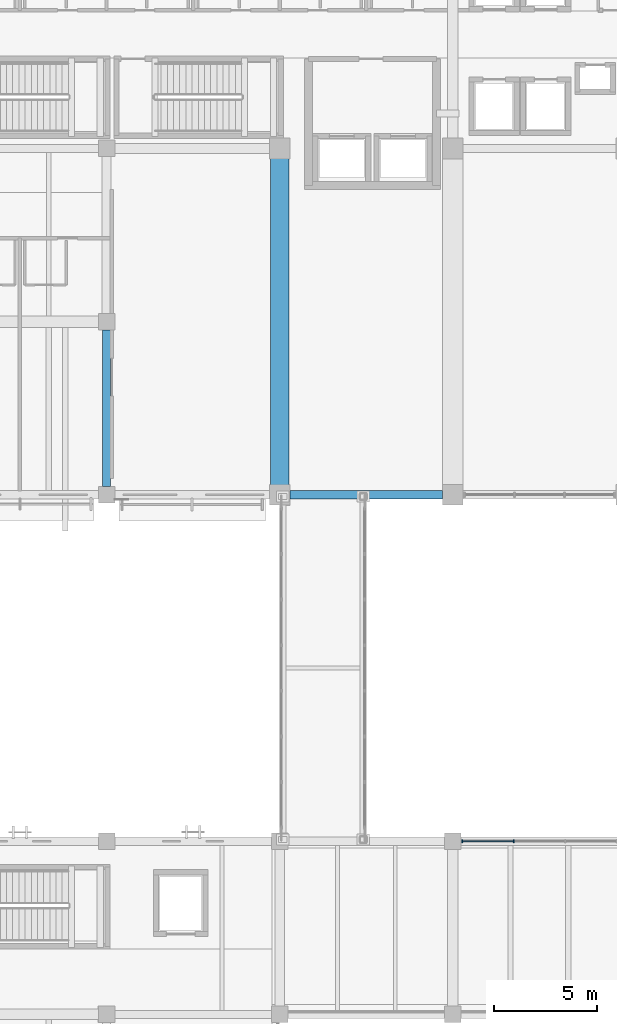
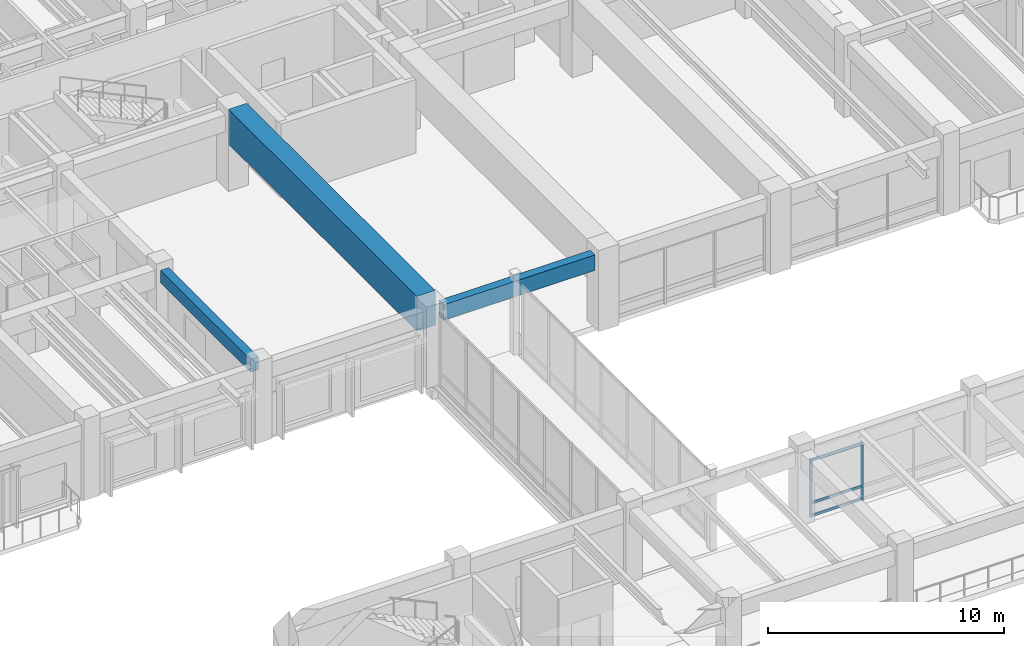
# One storey, part 40 of 132: 5 members, 3 beams, 1 element without a shape of its own.
"""IFC4 building model written with IfcOpenShell, lengths in metres."""

from ifc_helpers import new_model, si_unit, direction, frame, origin, origin_2d, place, context, subcontext, project, spatial, rectangle, extrude, material, material_profile, profile_set, type_object, element, aggregate, save


model = new_model("IFC4")

# Units and contexts
model_context = context("Model", 3, precision=1e-05, world=origin(), true_north=direction((0.0, 1.0)))
body_context = subcontext(model_context, "Body", "Model", "MODEL_VIEW")
ifc_project = project(units=[si_unit("LENGTHUNIT", "METRE"), si_unit("AREAUNIT", "SQUARE_METRE"), si_unit("VOLUMEUNIT", "CUBIC_METRE"), si_unit("PLANEANGLEUNIT", "RADIAN"), si_unit("MASSUNIT", "GRAM", prefix="KILO")], contexts=[model_context])

# Site, building, storey
site_placement = place(None, origin())
site = spatial("IfcSite", under=ifc_project, at=site_placement, CompositionType="ELEMENT")
building_placement = place(site_placement, origin())
building = spatial("IfcBuilding", under=site, at=building_placement, Name="Cumbredor Promenade Congress Hotel", CompositionType="ELEMENT")
storey_placement = place(building_placement, frame((0.0, 0.0, 7.56005859375)))
storey = spatial("IfcBuildingStorey", under=building, at=storey_placement, Name="L02", CompositionType="ELEMENT", Elevation=7.56005859375)

# Beam
ifc_material_1 = material(Name="Concrete C40/50", Category="concrete")
ifc_material_profile_1 = material_profile(ifc_material_1, rectangle(XDim=0.39990234375, YDim=0.64990234375, at=origin_2d()), Name="RC BEAM 400x650")
ifc_profile_set_1 = profile_set([ifc_material_profile_1], Name="Concrete C40/50")
beam_type_1 = type_object("IfcBeamType", Name="BM-RC-400x650", PredefinedType="BEAM", material=ifc_profile_set_1)
beam_1_placement = place(storey_placement, frame((16.800048828125, 84.39990234375, 3.474853515625), z_axis=(0.0, 1.0, 0.0), x_axis=(-1.0, 0.0, 0.0)))
element("IfcBeam", 1, at=beam_1_placement, inside=storey, type_object=beam_type_1, Name="L03 Y-Grid Beam 044", PredefinedType="BEAM", context=body_context, shape_type="SweptSolid", body=[
    extrude(rectangle(XDim=0.39990234375, YDim=0.64990234375, at=origin_2d()), origin(), (0.0, 0.0, 1.0), 7.60009765625),
])

# Curtain wall, members
ifc_material_2 = material(Name="Thermally broken anodized aluminium and low-E glass", Category="aluminium")
curtain_wall_type = type_object("IfcCurtainWallType", Name="Unitised Bronze Curtain Wall CW-01", PredefinedType="NOTDEFINED", material=ifc_material_2)
curtain_wall_placement = place(storey_placement, origin())
curtain_wall = element("IfcCurtainWall", 2, at=curtain_wall_placement, inside=storey, type_object=curtain_wall_type, Name="L02 Plenary Congress Hall North Curtain Wall 4", PredefinedType="NOTDEFINED")
ifc_material_3 = material(Name="Thermally broken anodized aluminium", Category="aluminium")
ifc_material_profile_2 = material_profile(ifc_material_3, rectangle(XDim=0.06494140625, YDim=0.159912109375, at=origin_2d()), Name="ALU MULLION 65x160")
ifc_profile_set_2 = profile_set([ifc_material_profile_2], Name="Thermally broken anodized aluminium")
member_type_1 = type_object("IfcMemberType", Name="Curtain Wall Mullion ML-01", PredefinedType="MULLION", material=ifc_profile_set_2)
member_1_placement = place(storey_placement, frame((34.054931640625, 67.199951171875, -0.008056640625), z_axis=(0.0, 0.0, 1.0), x_axis=(1.0, 0.0, 0.0)))
member_1 = element("IfcMember", 3, at=member_1_placement, type_object=member_type_1, Name="L02 Plenary Congress Hall North Curtain Wall 4 Mullion 1", PredefinedType="MULLION", context=body_context, shape_type="SweptSolid", body=[
    extrude(rectangle(XDim=0.06494140625, YDim=0.159912109375, at=origin_2d()), origin(), (0.0, 0.0, 1.0), 3.0009765625),
])
member_2_placement = place(storey_placement, frame((36.5517578125, 67.199951171875, -0.008056640625), z_axis=(0.0, 0.0, 1.0), x_axis=(1.0, 0.0, 0.0)))
member_2 = element("IfcMember", 4, at=member_2_placement, type_object=member_type_1, Name="L02 Plenary Congress Hall North Curtain Wall 4 Mullion 2", PredefinedType="MULLION", context=body_context, shape_type="SweptSolid", body=[
    extrude(rectangle(XDim=0.06494140625, YDim=0.159912109375, at=origin_2d()), origin(), (0.0, 0.0, 1.0), 3.0009765625),
])
ifc_material_profile_3 = material_profile(ifc_material_3, rectangle(XDim=0.06494140625, YDim=0.1298828125, at=origin_2d()), Name="ALU TRANSOM 65x130")
ifc_profile_set_3 = profile_set([ifc_material_profile_3], Name="Thermally broken anodized aluminium")
member_type_2 = type_object("IfcMemberType", Name="Curtain Wall Transom TR-01", PredefinedType="USERDEFINED", material=ifc_profile_set_3)
member_3_placement = place(storey_placement, frame((34.08740234375, 67.199951171875, 0.06005859375), z_axis=(1.0, 0.0, 0.0), x_axis=(0.0, 1.0, 0.0)))
member_3 = element("IfcMember", 5, at=member_3_placement, type_object=member_type_2, Name="L02 Plenary Congress Hall North Curtain Wall 4 Transom 1.1", ObjectType="TRANSOM", PredefinedType="USERDEFINED", context=body_context, shape_type="SweptSolid", body=[
    extrude(rectangle(XDim=0.06494140625, YDim=0.1298828125, at=origin_2d()), origin(), (0.0, 0.0, 1.0), 2.431884765625),
])
member_4_placement = place(storey_placement, frame((34.08740234375, 67.199951171875, 0.719970703125), z_axis=(1.0, 0.0, 0.0), x_axis=(0.0, 1.0, 0.0)))
member_4 = element("IfcMember", 6, at=member_4_placement, type_object=member_type_2, Name="L02 Plenary Congress Hall North Curtain Wall 4 Transom 1.2", ObjectType="TRANSOM", PredefinedType="USERDEFINED", context=body_context, shape_type="SweptSolid", body=[
    extrude(rectangle(XDim=0.06494140625, YDim=0.1298828125, at=origin_2d()), origin(), (0.0, 0.0, 1.0), 2.431884765625),
])
member_5_placement = place(storey_placement, frame((34.08740234375, 67.199951171875, 2.919921875), z_axis=(1.0, 0.0, 0.0), x_axis=(0.0, 1.0, 0.0)))
member_5 = element("IfcMember", 7, at=member_5_placement, type_object=member_type_2, Name="L02 Plenary Congress Hall North Curtain Wall 4 Transom 1.3", ObjectType="TRANSOM", PredefinedType="USERDEFINED", context=body_context, shape_type="SweptSolid", body=[
    extrude(rectangle(XDim=0.06494140625, YDim=0.1298828125, at=origin_2d()), origin(), (0.0, 0.0, 1.0), 2.431884765625),
])
aggregate(curtain_wall, [member_1, member_2, member_3, member_4, member_5])

# Beams
ifc_material_profile_4 = material_profile(ifc_material_1, rectangle(XDim=0.39990234375, YDim=0.800048828125, at=origin_2d()), Name="RC SPANDREL 400x800")
ifc_profile_set_4 = profile_set([ifc_material_profile_4], Name="Concrete C40/50")
beam_type_2 = type_object("IfcBeamType", Name="SP-RC-400x800", PredefinedType="SPANDREL", material=ifc_profile_set_4)
beam_2_placement = place(storey_placement, frame((25.699951171875, 84.0, 3.39990234375), z_axis=(1.0, 0.0, 0.0), x_axis=(0.0, 1.0, 0.0)))
element("IfcBeam", 8, at=beam_2_placement, inside=storey, type_object=beam_type_2, Name="L03 X-Grid Beam 055", PredefinedType="SPANDREL", context=body_context, shape_type="SweptSolid", body=[
    extrude(rectangle(XDim=0.39990234375, YDim=0.800048828125, at=origin_2d()), origin(), (0.0, 0.0, 1.0), 7.400146484375),
])
ifc_material_4 = material(Name="Concrete C50/60", Category="concrete")
ifc_material_profile_5 = material_profile(ifc_material_4, rectangle(XDim=0.89990234375, YDim=1.800048828125, at=origin_2d()), Name="RC TRANSFER 900x1800")
ifc_profile_set_5 = profile_set([ifc_material_profile_5], Name="Concrete C50/60")
beam_type_3 = type_object("IfcBeamType", Name="Transfer Girder TG-01 RC 900x1800", PredefinedType="BEAM", material=ifc_profile_set_5)
beam_3_placement = place(storey_placement, frame((25.199951171875, 84.419921875, 3.300048828125), z_axis=(0.0, 1.0, 0.0), x_axis=(-1.0, 0.0, 0.0)))
element("IfcBeam", 9, at=beam_3_placement, inside=storey, type_object=beam_type_3, Name="Hotel Lobby Transfer Girder TG-01", PredefinedType="BEAM", context=body_context, shape_type="SweptSolid", body=[
    extrude(rectangle(XDim=0.89990234375, YDim=1.800048828125, at=origin_2d()), origin(), (0.0, 0.0, 1.0), 15.9599609375),
])

save(model, "model.ifc")
